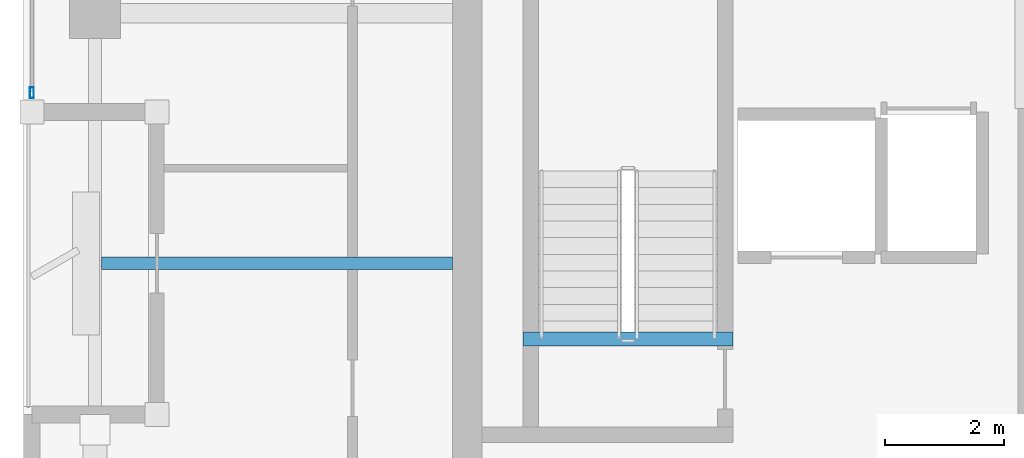
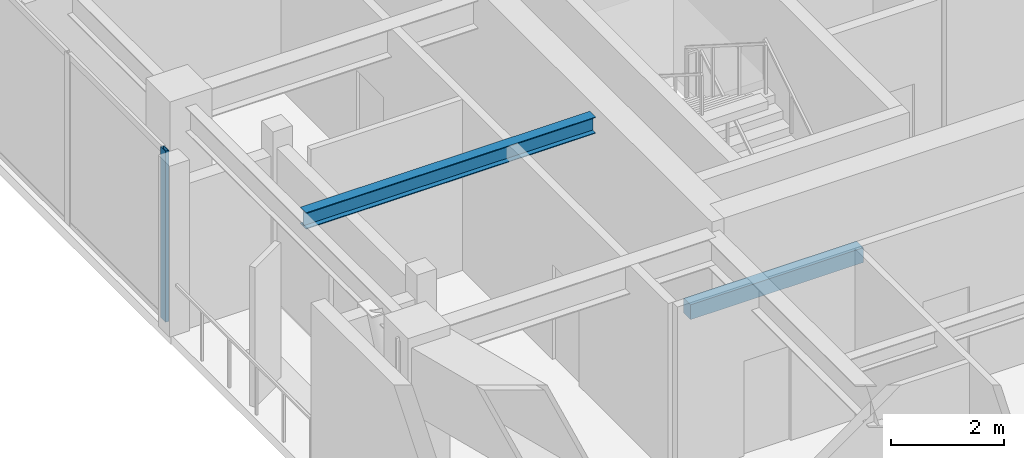
# One storey, part 2 of 16: 2 beams, 1 member, 1 element without a shape of its own.
"""IFC4 building model written with IfcOpenShell, lengths in metres."""

from ifc_helpers import new_model, si_unit, direction, frame, origin, origin_2d, place, context, subcontext, project, spatial, rectangle, hollow_rectangle, i_section, extrude, material, layer, layer_set, material_profile, profile_set, type_object, element, aggregate, save


model = new_model("IFC4")

# Units and contexts
model_context = context("Model", 3, precision=1e-05, world=origin(), true_north=direction((0.0, 1.0)))
body_context = subcontext(model_context, "Body", "Model", "MODEL_VIEW")
ifc_project = project(units=[si_unit("LENGTHUNIT", "METRE"), si_unit("AREAUNIT", "SQUARE_METRE"), si_unit("VOLUMEUNIT", "CUBIC_METRE"), si_unit("PLANEANGLEUNIT", "RADIAN"), si_unit("MASSUNIT", "GRAM", prefix="KILO")], contexts=[model_context])

# Site, building, storey
site_placement = place(None, origin())
site = spatial("IfcSite", under=ifc_project, at=site_placement, CompositionType="ELEMENT")
building_placement = place(site_placement, origin())
building = spatial("IfcBuilding", under=site, at=building_placement, Name="Kiyonajd Concourse Tower", CompositionType="ELEMENT")
storey_placement = place(building_placement, frame((0.0, 0.0, 306.300048828125)))
storey = spatial("IfcBuildingStorey", under=building, at=storey_placement, Name="L77", CompositionType="ELEMENT", Elevation=306.300048828125)

# Beams
ifc_material_1 = material(Name="Steel ASTM A992 Grade 50", Category="steel")
ifc_material_profile_1 = material_profile(ifc_material_1, i_section(OverallWidth=0.205078125, OverallDepth=0.35400390625, WebThickness=0.009521484375, FlangeThickness=0.016845703125, at=origin_2d()), Name="W360X79")
ifc_profile_set_1 = profile_set([ifc_material_profile_1], Name="Steel ASTM A992 Grade 50")
beam_type_1 = type_object("IfcBeamType", Name="BM-JST-360", PredefinedType="JOIST", material=ifc_profile_set_1)
beam_1_placement = place(storey_placement, frame((26.505615234375, 31.800048828125, 3.5029296875), z_axis=(1.0, 0.0, 0.0), x_axis=(0.0, 1.0, 0.0)))
element("IfcBeam", 1, at=beam_1_placement, inside=storey, type_object=beam_type_1, Name="L77 West Secondary Floor Joist", PredefinedType="JOIST", context=body_context, shape_type="SweptSolid", body=[
    extrude(i_section(OverallWidth=0.205078125, OverallDepth=0.35400390625, WebThickness=0.009521484375, FlangeThickness=0.016845703125, at=origin_2d()), origin(), (0.0, 0.0, 1.0), 5.894287109375),
])
ifc_material_2 = material(Name="Concrete C50/60", Category="concrete")
ifc_material_profile_2 = material_profile(ifc_material_2, rectangle(XDim=0.239990234375, YDim=0.320068359375, at=origin_2d()), Name="RCBM-240x320")
ifc_profile_set_2 = profile_set([ifc_material_profile_2], Name="Concrete C50/60")
beam_type_2 = type_object("IfcBeamType", Name="BM-LNT-250", PredefinedType="LINTEL", material=ifc_profile_set_2)
beam_2_placement = place(storey_placement, frame((33.590087890625, 30.530029296875, -0.16015625), z_axis=(1.0, 0.0, 0.0), x_axis=(0.0, 1.0, 0.0)))
element("IfcBeam", 2, at=beam_2_placement, inside=storey, type_object=beam_type_2, Name="L77 Stair ST1 Threshold Support Beam", PredefinedType="LINTEL", context=body_context, shape_type="SweptSolid", body=[
    extrude(rectangle(XDim=0.239990234375, YDim=0.320068359375, at=origin_2d()), origin(), (0.0, 0.0, 1.0), 3.52001953125),
])

# Curtain wall, member
ifc_material_3 = material(Name="Thermally Broken Anodised Aluminium", Category="aluminium")
ifc_layer = layer(ifc_material_3, 0.179931640625)
ifc_layer_set = layer_set([ifc_layer], Name="Thermally Broken Anodised Aluminium")
curtain_wall_type = type_object("IfcCurtainWallType", Name="CW-SYS-04", PredefinedType="NOTDEFINED", material=ifc_layer_set)
curtain_wall_placement = place(storey_placement, origin())
curtain_wall = element("IfcCurtainWall", 3, at=curtain_wall_placement, inside=storey, type_object=curtain_wall_type, Name="L77 Unitised Curtain Wall CW4", PredefinedType="NOTDEFINED")
ifc_material_profile_3 = material_profile(ifc_material_3, hollow_rectangle(XDim=0.06494140625, YDim=0.179931640625, WallThickness=0.00390625, at=origin_2d()), Name="MULL-65x180")
ifc_profile_set_3 = profile_set([ifc_material_profile_3], Name="Thermally Broken Anodised Aluminium")
member_type = type_object("IfcMemberType", Name="MB-CW-MULL1", PredefinedType="MULLION", material=ifc_profile_set_3)
member_placement = place(storey_placement, frame((25.340087890625, 34.66259765625, 0.0), z_axis=(0.0, 0.0, 1.0), x_axis=(-1.0, 0.0, 0.0)))
member = element("IfcMember", 4, at=member_placement, type_object=member_type, Name="CW4 mullion 1", PredefinedType="MULLION", context=body_context, shape_type="SweptSolid", body=[
    extrude(hollow_rectangle(XDim=0.06494140625, YDim=0.179931640625, WallThickness=0.00390625, at=origin_2d()), origin(), (0.0, 0.0, 1.0), 3.679931640625),
])
aggregate(curtain_wall, [member])

save(model, "model.ifc")
